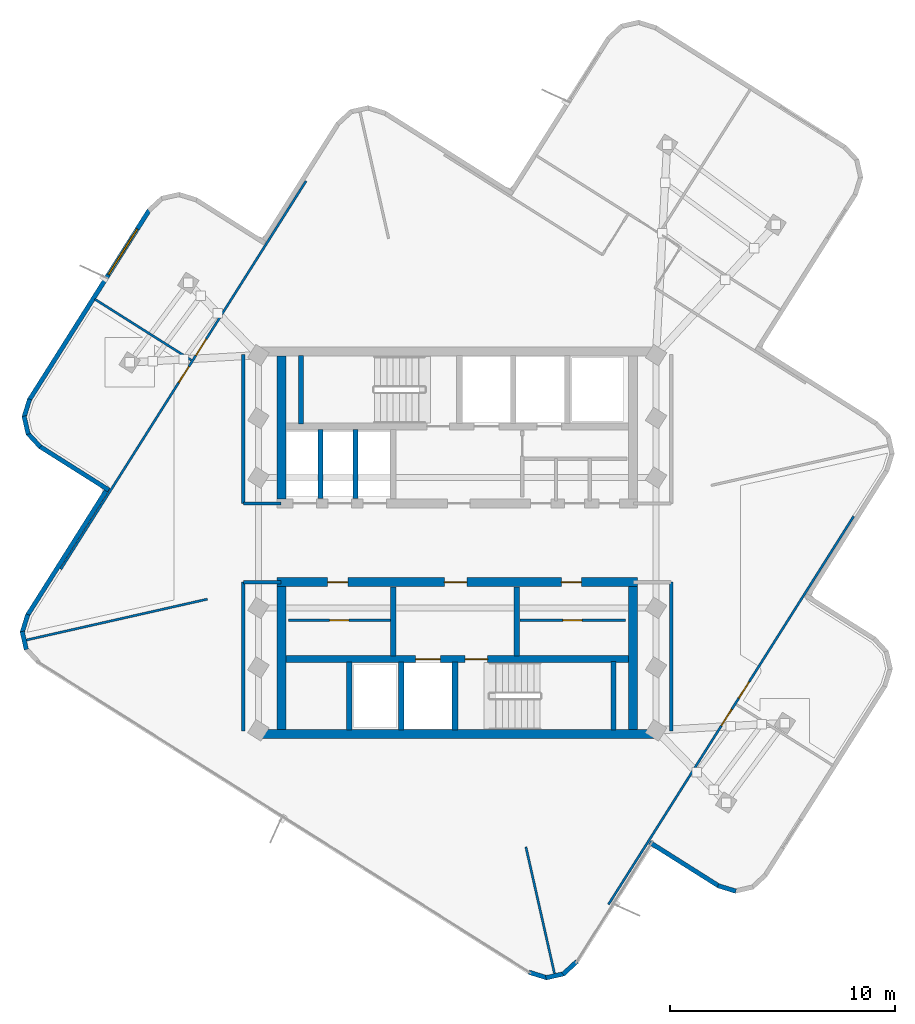
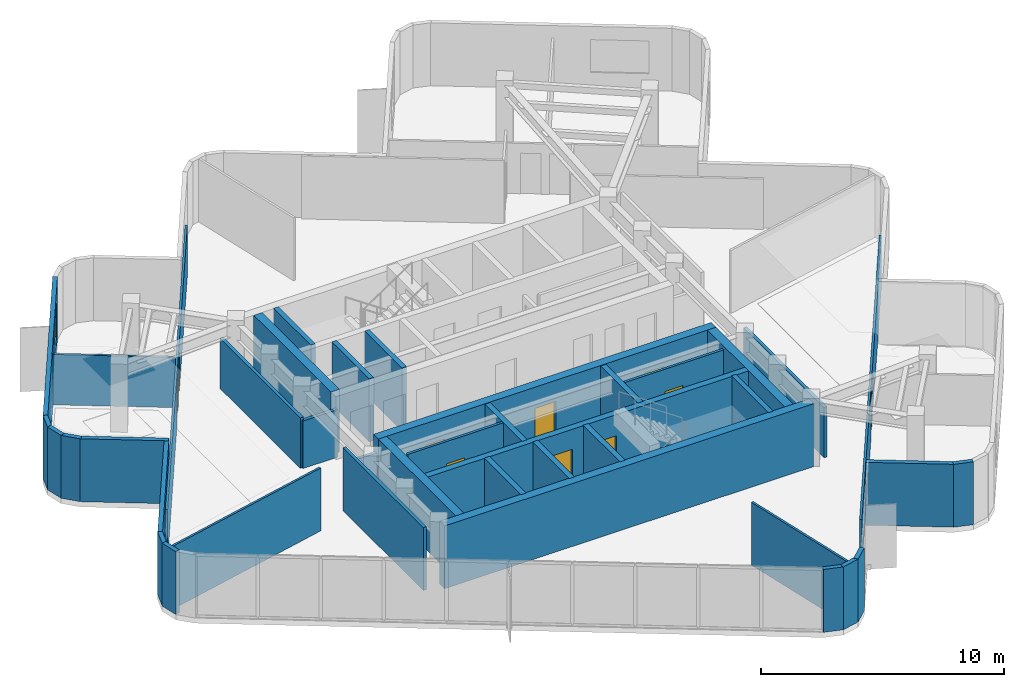
# One storey, part 4 of 8: 40 walls, 11 doors, 1 window, 12 openings.
"""IFC4 building model written with IfcOpenShell, lengths in metres."""

from ifc_helpers import new_model, si_unit, direction, frame, frame_2d, origin, place, context, subcontext, project, spatial, rectangle, extrude, material, layer, layer_set, type_object, element, fill, save


model = new_model("IFC4")

# Units and contexts
model_context = context("Model", 3, precision=1e-05, world=origin(), true_north=direction((0.0, 1.0)))
body_context = subcontext(model_context, "Body", "Model", "MODEL_VIEW")
ifc_project = project(units=[si_unit("LENGTHUNIT", "METRE"), si_unit("AREAUNIT", "SQUARE_METRE"), si_unit("VOLUMEUNIT", "CUBIC_METRE"), si_unit("PLANEANGLEUNIT", "RADIAN"), si_unit("MASSUNIT", "GRAM", prefix="KILO")], contexts=[model_context])

# Site, building, storey
site_placement = place(None, origin())
site = spatial("IfcSite", under=ifc_project, at=site_placement, CompositionType="ELEMENT")
building_placement = place(site_placement, origin())
building = spatial("IfcBuilding", under=site, at=building_placement, Name="Solmarez Civic Tower", CompositionType="ELEMENT")
storey_placement = place(building_placement, frame((0.0, 0.0, 271.43994140625)))
storey = spatial("IfcBuildingStorey", under=building, at=storey_placement, Name="L73", CompositionType="ELEMENT", Elevation=271.43994140625)

# Walls
ifc_material_1 = material(Name="Concrete C50/60", Category="concrete")
ifc_layer_1 = layer(ifc_material_1, 0.39990234375)
ifc_layer_set_1 = layer_set([ifc_layer_1], Name="Concrete C50/60")
wall_type_1 = type_object("IfcWallType", Name="WALL-CORE-400", PredefinedType="SHEAR", material=ifc_layer_set_1)
wall_1_placement = place(storey_placement, frame((-7.820068359375, 1.949951171875, 0.0), z_axis=(0.0, 0.0, 1.0), x_axis=(0.0, 1.0, 0.0)))
element("IfcWall", 1, at=wall_1_placement, inside=storey, type_object=wall_type_1, Name="L73 Split-Core Structural Wall NCW-W-L73", PredefinedType="SHEAR", context=body_context, shape_type="SweptSolid", body=[
    extrude(rectangle(XDim=6.360107421875, YDim=0.39990234375, at=frame_2d((3.18017578125, 0.0))), origin(), (0.0, 0.0, 1.0), 3.16015625),
])
wall_2_placement = place(storey_placement, frame((8.780029296875, -8.510009765625, 0.0), z_axis=(0.0, 0.0, 1.0), x_axis=(-1.0, 0.0, 0.0)))
element("IfcWall", 2, at=wall_2_placement, inside=storey, type_object=wall_type_1, Name="L73 Split-Core Structural Wall SCW-S-L73", PredefinedType="SHEAR", context=body_context, shape_type="SweptSolid", body=[
    extrude(rectangle(XDim=17.56005859375, YDim=0.39990234375, at=frame_2d((8.780029296875, 0.0))), origin(), (0.0, 0.0, 1.0), 3.16015625),
])

# Wall, openings, doors
wall_3_placement = place(storey_placement, frame((-8.02001953125, -1.75, 0.0), z_axis=(0.0, 0.0, 1.0), x_axis=(1.0, 0.0, 0.0)))
wall_3 = element("IfcWall", 3, at=wall_3_placement, inside=storey, type_object=wall_type_1, Name="L73 Split-Core Structural Wall SCW-N-L73", PredefinedType="SHEAR", context=body_context, shape_type="SweptSolid", body=[
    extrude(rectangle(XDim=16.0400390625, YDim=0.39990234375, at=frame_2d((8.02001953125, 0.0))), origin(), (0.0, 0.0, 1.0), 3.16015625),
])
opening_1_placement = place(wall_3_placement, frame((7.449951171875, 0.0, 0.0)))
opening_1 = element("IfcOpeningElement", 4, at=opening_1_placement, cuts=wall_3, Name="Opening D-04", PredefinedType="OPENING", context=body_context, shape_type="SweptSolid", body=[
    extrude(rectangle(XDim=1.0, YDim=2.10009765625, at=frame_2d((0.5, 1.050048828125))), frame((0.0, 0.2099609375, 0.0), z_axis=(0.0, -1.0, 0.0), x_axis=(1.0, 0.0, 0.0)), (0.0, 0.0, 1.0), 0.419921875),
])
opening_2_placement = place(wall_3_placement, frame((12.64990234375, 0.0, 0.0)))
opening_2 = element("IfcOpeningElement", 5, at=opening_2_placement, cuts=wall_3, Name="Opening D-09", PredefinedType="OPENING", context=body_context, shape_type="SweptSolid", body=[
    extrude(rectangle(XDim=0.89990234375, YDim=2.06005859375, at=frame_2d((0.449951171875, 1.030029296875))), frame((0.0, 0.2099609375, 0.0), z_axis=(0.0, -1.0, 0.0), x_axis=(1.0, 0.0, 0.0)), (0.0, 0.0, 1.0), 0.419921875),
])
opening_3_placement = place(wall_3_placement, frame((2.25, 0.0, 0.0)))
opening_3 = element("IfcOpeningElement", 6, at=opening_3_placement, cuts=wall_3, Name="Opening D-09", PredefinedType="OPENING", context=body_context, shape_type="SweptSolid", body=[
    extrude(rectangle(XDim=0.89990234375, YDim=2.06005859375, at=frame_2d((0.449951171875, 1.030029296875))), frame((0.0, 0.2099609375, 0.0), z_axis=(0.0, -1.0, 0.0), x_axis=(1.0, 0.0, 0.0)), (0.0, 0.0, 1.0), 0.419921875),
])
ifc_material_2 = material(Name="Steel-Faced Acoustic Fire Door", Category="steel")
door_type_1 = type_object("IfcDoorType", Name="DOOR-FD60-1000", OperationType="NOTDEFINED", PredefinedType="DOOR", material=ifc_material_2)
door_1_placement = place(opening_1_placement, origin())
door_1 = element("IfcDoor", 7, at=door_1_placement, inside=storey, type_object=door_type_1, Name="L73 South Firefighting Lobby Door", OperationType="SINGLE_SWING_LEFT", OverallHeight=2.10009765625, OverallWidth=1.0, PredefinedType="DOOR", context=body_context, shape_type="SweptSolid", body=[
    extrude(rectangle(XDim=1.0, YDim=2.10009765625, at=frame_2d((0.5, 1.050048828125))), frame((0.0, 0.02490234375, 0.0), z_axis=(0.0, -1.0, 0.0), x_axis=(1.0, 0.0, 0.0)), (0.0, 0.0, 1.0), 0.050048828125),
])
fill(opening_1, door_1)
ifc_material_3 = material(Name="Fire-Rated Service Core Door", Category="wood")
door_type_2 = type_object("IfcDoorType", Name="DOOR-FD60-900", OperationType="NOTDEFINED", PredefinedType="DOOR", material=ifc_material_3)
door_2_placement = place(opening_2_placement, origin())
door_2 = element("IfcDoor", 8, at=door_2_placement, inside=storey, type_object=door_type_2, Name="L73 Freed Hoistway Mailroom Door", OperationType="SINGLE_SWING_LEFT", OverallHeight=2.06005859375, OverallWidth=0.89990234375, PredefinedType="DOOR", context=body_context, shape_type="SweptSolid", body=[
    extrude(rectangle(XDim=0.89990234375, YDim=2.06005859375, at=frame_2d((0.449951171875, 1.030029296875))), frame((0.0, 0.02490234375, 0.0), z_axis=(0.0, -1.0, 0.0), x_axis=(1.0, 0.0, 0.0)), (0.0, 0.0, 1.0), 0.050048828125),
])
fill(opening_2, door_2)
door_3_placement = place(opening_3_placement, origin())
door_3 = element("IfcDoor", 9, at=door_3_placement, inside=storey, type_object=door_type_2, Name="L73 Staff Kitchenette Pantry Door", OperationType="SINGLE_SWING_RIGHT", OverallHeight=2.06005859375, OverallWidth=0.89990234375, PredefinedType="DOOR", context=body_context, shape_type="SweptSolid", body=[
    extrude(rectangle(XDim=0.89990234375, YDim=2.06005859375, at=frame_2d((0.449951171875, 1.030029296875))), frame((0.0, 0.02490234375, 0.0), z_axis=(0.0, -1.0, 0.0), x_axis=(1.0, 0.0, 0.0)), (0.0, 0.0, 1.0), 0.050048828125),
])
fill(opening_3, door_3)

# Walls
for number, where, z_axis, x_axis, name in (
    (10, (-7.820068359375, -8.31005859375, 0.0), (0.0, 0.0, 1.0), (0.0, 1.0, 0.0), "L73 Split-Core Structural Wall SCW-W-L73"),
    (11, (7.820068359375, -1.949951171875, 0.0), (0.0, 0.0, 1.0), (0.0, -1.0, 0.0), "L73 Split-Core Structural Wall SCW-E-L73"),
):
    element("IfcWall", number, at=place(storey_placement, frame(where, z_axis=z_axis, x_axis=x_axis)), inside=storey, type_object=wall_type_1, Name=name, PredefinedType="SHEAR", context=body_context, shape_type="SweptSolid", body=[
        extrude(rectangle(XDim=6.360107421875, YDim=0.39990234375, at=frame_2d((3.18017578125, 0.0))), origin(), (0.0, 0.0, 1.0), 3.16015625),
    ])
ifc_material_4 = material(Name="Precast concrete C40/50", Category="concrete")
ifc_layer_2 = layer(ifc_material_4, 0.199951171875)
ifc_layer_set_2 = layer_set([ifc_layer_2], Name="Precast concrete C40/50")
wall_type_2 = type_object("IfcWallType", Name="WALL-EXT-200", PredefinedType="SOLIDWALL", material=ifc_layer_set_2)
wall_4_placement = place(storey_placement, frame((5.325927734375, -18.637939453125, 0.0), z_axis=(0.0, 0.0, 1.0), x_axis=(-0.734546260064, -0.678558613405, 0.0)))
element("IfcWall", 12, at=wall_4_placement, inside=storey, type_object=wall_type_2, Name="L73 Exterior Precast Wall 3", PredefinedType="SOLIDWALL", context=body_context, shape_type="SweptSolid", body=[
    extrude(rectangle(XDim=0.837158203125, YDim=0.199951171875, at=frame_2d((0.41845703125, 0.0))), origin(), (0.0, 0.0, 1.0), 3.16015625),
])
wall_5_placement = place(storey_placement, frame((4.7529296875, -19.18310546875, 0.0), z_axis=(0.0, 0.0, 1.0), x_axis=(-0.975095027757, -0.22178748126, 0.0)))
element("IfcWall", 13, at=wall_5_placement, inside=storey, type_object=wall_type_2, Name="L73 Exterior Precast Wall 4", PredefinedType="SOLIDWALL", context=body_context, shape_type="SweptSolid", body=[
    extrude(rectangle(XDim=0.824462890625, YDim=0.199951171875, at=frame_2d((0.412109375, 0.0))), origin(), (0.0, 0.0, 1.0), 3.16015625),
])
wall_6_placement = place(storey_placement, frame((3.9970703125, -19.366943359375, 0.0), z_axis=(0.0, 0.0, 1.0), x_axis=(-0.955248680357, 0.295803919306, 0.0)))
element("IfcWall", 14, at=wall_6_placement, inside=storey, type_object=wall_type_2, Name="L73 Exterior Precast Wall 5", PredefinedType="SOLIDWALL", context=body_context, shape_type="SweptSolid", body=[
    extrude(rectangle(XDim=0.838623046875, YDim=0.199951171875, at=frame_2d((0.41943359375, 0.0))), origin(), (0.0, 0.0, 1.0), 3.16015625),
])
wall_7_placement = place(storey_placement, frame((-19.18310546875, -4.7529296875, 0.0), z_axis=(0.0, 0.0, 1.0), x_axis=(-0.22178748126, 0.975095027757, 0.0)))
element("IfcWall", 15, at=wall_7_placement, inside=storey, type_object=wall_type_2, Name="L73 Exterior Precast Wall 8", PredefinedType="SOLIDWALL", context=body_context, shape_type="SweptSolid", body=[
    extrude(rectangle(XDim=0.824462890625, YDim=0.199951171875, at=frame_2d((0.412109375, 0.0))), origin(), (0.0, 0.0, 1.0), 3.16015625),
])
wall_8_placement = place(storey_placement, frame((-19.366943359375, -3.9970703125, 0.0), z_axis=(0.0, 0.0, 1.0), x_axis=(0.295803919306, 0.955248680357, 0.0)))
element("IfcWall", 16, at=wall_8_placement, inside=storey, type_object=wall_type_2, Name="L73 Exterior Precast Wall 9", PredefinedType="SOLIDWALL", context=body_context, shape_type="SweptSolid", body=[
    extrude(rectangle(XDim=0.838623046875, YDim=0.199951171875, at=frame_2d((0.41943359375, 0.0))), origin(), (0.0, 0.0, 1.0), 3.16015625),
])
wall_9_placement = place(storey_placement, frame((-19.138916015625, -3.240966796875, 0.0), z_axis=(0.0, 0.0, 1.0), x_axis=(0.534084270085, 0.845431246435, 0.0)))
element("IfcWall", 17, at=wall_9_placement, inside=storey, type_object=wall_type_2, Name="L73 Exterior Precast Wall 10", PredefinedType="SOLIDWALL", context=body_context, shape_type="SweptSolid", body=[
    extrude(rectangle(XDim=6.741943359375, YDim=0.199951171875, at=frame_2d((3.37109375, 0.0))), origin(), (0.0, 0.0, 1.0), 3.16015625),
])
wall_10_placement = place(storey_placement, frame((-15.512939453125, 2.347900390625, 0.0), z_axis=(0.0, 0.0, 1.0), x_axis=(-0.8454427056, 0.534066130313, 0.0)))
element("IfcWall", 18, at=wall_10_placement, inside=storey, type_object=wall_type_2, Name="L73 Exterior Precast Wall 13", PredefinedType="SOLIDWALL", context=body_context, shape_type="SweptSolid", body=[
    extrude(rectangle(XDim=3.64208984375, YDim=0.199951171875, at=frame_2d((1.821044921875, 0.0))), origin(), (0.0, 0.0, 1.0), 3.16015625),
])
wall_11_placement = place(storey_placement, frame((-18.553955078125, 4.261962890625, 0.0), z_axis=(0.0, 0.0, 1.0), x_axis=(-0.679187212508, 0.73396507435, 0.0)))
element("IfcWall", 19, at=wall_11_placement, inside=storey, type_object=wall_type_2, Name="L73 Exterior Precast Wall 14", PredefinedType="SOLIDWALL", context=body_context, shape_type="SweptSolid", body=[
    extrude(rectangle(XDim=0.837890625, YDim=0.199951171875, at=frame_2d((0.4189453125, 0.0))), origin(), (0.0, 0.0, 1.0), 3.16015625),
])
wall_12_placement = place(storey_placement, frame((-19.10009765625, 4.8349609375, 0.0), z_axis=(0.0, 0.0, 1.0), x_axis=(-0.222043922605, 0.975036664149, 0.0)))
element("IfcWall", 20, at=wall_12_placement, inside=storey, type_object=wall_type_2, Name="L73 Exterior Precast Wall 15", PredefinedType="SOLIDWALL", context=body_context, shape_type="SweptSolid", body=[
    extrude(rectangle(XDim=0.823486328125, YDim=0.199951171875, at=frame_2d((0.41162109375, 0.0))), origin(), (0.0, 0.0, 1.0), 3.16015625),
])
wall_13_placement = place(storey_placement, frame((-19.283935546875, 5.590087890625, 0.0), z_axis=(0.0, 0.0, 1.0), x_axis=(0.295803919306, 0.955248680357, 0.0)))
element("IfcWall", 21, at=wall_13_placement, inside=storey, type_object=wall_type_2, Name="L73 Exterior Precast Wall 16", PredefinedType="SOLIDWALL", context=body_context, shape_type="SweptSolid", body=[
    extrude(rectangle(XDim=0.838623046875, YDim=0.199951171875, at=frame_2d((0.41943359375, 0.0))), origin(), (0.0, 0.0, 1.0), 3.16015625),
])

# Wall, opening, window
wall_14_placement = place(storey_placement, frame((-19.055908203125, 6.345947265625, 0.0), z_axis=(0.0, 0.0, 1.0), x_axis=(0.534060804588, 0.845446069837, 0.0)))
wall_14 = element("IfcWall", 22, at=wall_14_placement, inside=storey, type_object=wall_type_2, Name="L73 Exterior Precast Wall 17", PredefinedType="SOLIDWALL", context=body_context, shape_type="SweptSolid", body=[
    extrude(rectangle(XDim=10.023193359375, YDim=0.199951171875, at=frame_2d((5.01171875, 0.0))), origin(), (0.0, 0.0, 1.0), 3.16015625),
])
opening_4_placement = place(wall_14_placement, frame((6.617919921875, 0.0, 0.85009765625)))
opening_4 = element("IfcOpeningElement", 23, at=opening_4_placement, cuts=wall_14, Name="Opening W-06", PredefinedType="OPENING", context=body_context, shape_type="SweptSolid", body=[
    extrude(rectangle(XDim=2.39990234375, YDim=1.85009765625, at=frame_2d((1.199951171875, 0.925048828125))), frame((0.0, 0.10986328125, 0.0), z_axis=(0.0, -1.0, 0.0), x_axis=(1.0, 0.0, 0.0)), (0.0, 0.0, 1.0), 0.219970703125),
])
ifc_material_5 = material(Name="Solar Control Bronze-Tinted Insulating Glass", Category="glass")
window_type = type_object("IfcWindowType", Name="WIN-2400X1850", PartitioningType="SINGLE_PANEL", PredefinedType="WINDOW", material=ifc_material_5)
window_placement = place(opening_4_placement, origin())
window = element("IfcWindow", 24, at=window_placement, inside=storey, type_object=window_type, Name="L73 Exterior Facade Window 17", OverallHeight=1.85009765625, OverallWidth=2.39990234375, PartitioningType="SINGLE_PANEL", PredefinedType="WINDOW", context=body_context, shape_type="SweptSolid", body=[
    extrude(rectangle(XDim=2.39990234375, YDim=1.85009765625, at=frame_2d((1.199951171875, 0.925048828125))), frame((0.0, 0.030029296875, 0.0), z_axis=(0.0, -1.0, 0.0), x_axis=(1.0, 0.0, 0.0)), (0.0, 0.0, 1.0), 0.06005859375),
])
fill(opening_4, window)

# Walls
wall_15_placement = place(storey_placement, frame((12.405029296875, -15.511962890625, 0.0), z_axis=(0.0, 0.0, 1.0), x_axis=(-0.95514660916, 0.296133339917, 0.0)))
element("IfcWall", 25, at=wall_15_placement, inside=storey, type_object=wall_type_2, Name="L73 Exterior Precast Wall 56", PredefinedType="SOLIDWALL", context=body_context, shape_type="SweptSolid", body=[
    extrude(rectangle(XDim=0.837646484375, YDim=0.199951171875, at=frame_2d((0.4189453125, 0.0))), origin(), (0.0, 0.0, 1.0), 3.16015625),
])
wall_16_placement = place(storey_placement, frame((11.64990234375, -15.283935546875, 0.0), z_axis=(0.0, 0.0, 1.0), x_axis=(-0.84553031048, 0.533927423962, 0.0)))
element("IfcWall", 26, at=wall_16_placement, inside=storey, type_object=wall_type_2, Name="L73 Exterior Precast Wall 57", PredefinedType="SOLIDWALL", context=body_context, shape_type="SweptSolid", body=[
    extrude(rectangle(XDim=3.642578125, YDim=0.199951171875, at=frame_2d((1.8212890625, 0.0))), origin(), (0.0, 0.0, 1.0), 3.16015625),
])
ifc_material_6 = material(Name="Gypsum Board Acoustic Steel-Stud Partition", Category="steel")
ifc_layer_3 = layer(ifc_material_6, 0.14990234375)
ifc_layer_set_3 = layer_set([ifc_layer_3], Name="Gypsum Board Acoustic Steel-Stud Partition")
wall_type_3 = type_object("IfcWallType", Name="WALL-INT-FIRE-150", PredefinedType="PARTITIONING", material=ifc_layer_set_3)
wall_17_placement = place(storey_placement, frame((-9.52001953125, 1.75, 0.0), z_axis=(0.0, 0.0, 1.0), x_axis=(0.0, 1.0, 0.0)))
element("IfcWall", 27, at=wall_17_placement, inside=storey, type_object=wall_type_3, Name="L73 Interior Partition CHW-L73-WN1", PredefinedType="PARTITIONING", context=body_context, shape_type="SweptSolid", body=[
    extrude(rectangle(XDim=6.6298828125, YDim=0.14990234375, at=frame_2d((3.31494140625, 0.0))), origin(), (0.0, 0.0, 1.0), 2.530029296875),
])
wall_18_placement = place(storey_placement, frame((-7.85009765625, 1.75, 0.0), z_axis=(0.0, 0.0, 1.0), x_axis=(-1.0, 0.0, 0.0)))
element("IfcWall", 28, at=wall_18_placement, inside=storey, type_object=wall_type_3, Name="L73 Interior Partition CHW-L73-WN3", PredefinedType="PARTITIONING", context=body_context, shape_type="SweptSolid", body=[
    extrude(rectangle(XDim=1.669921875, YDim=0.14990234375, at=frame_2d((0.8349609375, 0.0))), origin(), (0.0, 0.0, 1.0), 2.39013671875),
])
wall_19_placement = place(storey_placement, frame((-9.52001953125, -8.3798828125, 0.0), z_axis=(0.0, 0.0, 1.0), x_axis=(0.0, 1.0, 0.0)))
element("IfcWall", 29, at=wall_19_placement, inside=storey, type_object=wall_type_3, Name="L73 Interior Partition CHW-L73-WS1", PredefinedType="PARTITIONING", context=body_context, shape_type="SweptSolid", body=[
    extrude(rectangle(XDim=6.6298828125, YDim=0.14990234375, at=frame_2d((3.31494140625, 0.0))), origin(), (0.0, 0.0, 1.0), 3.16015625),
])
wall_20_placement = place(storey_placement, frame((-7.85009765625, -1.75, 0.0), z_axis=(0.0, 0.0, 1.0), x_axis=(-1.0, 0.0, 0.0)))
element("IfcWall", 30, at=wall_20_placement, inside=storey, type_object=wall_type_3, Name="L73 Interior Partition CHW-L73-WS3", PredefinedType="PARTITIONING", context=body_context, shape_type="SweptSolid", body=[
    extrude(rectangle(XDim=1.669921875, YDim=0.14990234375, at=frame_2d((0.8349609375, 0.0))), origin(), (0.0, 0.0, 1.0), 2.39013671875),
])
wall_21_placement = place(storey_placement, frame((9.52001953125, -8.3798828125, 0.0), z_axis=(0.0, 0.0, 1.0), x_axis=(0.0, 1.0, 0.0)))
element("IfcWall", 31, at=wall_21_placement, inside=storey, type_object=wall_type_3, Name="L73 Interior Partition CHW-L73-ES1", PredefinedType="PARTITIONING", context=body_context, shape_type="SweptSolid", body=[
    extrude(rectangle(XDim=6.6298828125, YDim=0.14990234375, at=frame_2d((3.31494140625, 0.0))), origin(), (0.0, 0.0, 1.0), 2.530029296875),
])
ifc_layer_4 = layer(ifc_material_6, 0.10009765625)
ifc_layer_set_4 = layer_set([ifc_layer_4], Name="Gypsum Board Acoustic Steel-Stud Partition")
wall_type_4 = type_object("IfcWallType", Name="WALL-INT-PART-100", PredefinedType="PARTITIONING", material=ifc_layer_set_4)
wall_22_placement = place(storey_placement, frame((-11.1201171875, -2.510009765625, 0.0), z_axis=(0.0, 0.0, 1.0), x_axis=(-0.975442430033, -0.220254547494, 0.0)))
element("IfcWall", 32, at=wall_22_placement, inside=storey, type_object=wall_type_4, Name="L73 Interior Partition PT-L73-QDIV-2", PredefinedType="PARTITIONING", context=body_context, shape_type="SweptSolid", body=[
    extrude(rectangle(XDim=8.29443359375, YDim=0.10009765625, at=frame_2d((4.147216796875, 0.0))), origin(), (0.0, 0.0, 1.0), 3.16015625),
])
wall_23_placement = place(storey_placement, frame((3.055908203125, -13.5400390625, 0.0), z_axis=(0.0, 0.0, 1.0), x_axis=(0.22033949405, -0.975423245244, 0.0)))
element("IfcWall", 33, at=wall_23_placement, inside=storey, type_object=wall_type_4, Name="L73 Interior Partition PT-L73-QDIV-3", PredefinedType="PARTITIONING", context=body_context, shape_type="SweptSolid", body=[
    extrude(rectangle(XDim=5.813720703125, YDim=0.10009765625, at=frame_2d((2.90673828125, 0.0))), origin(), (0.0, 0.0, 1.0), 3.16015625),
])
wall_24_placement = place(storey_placement, frame((-11.837890625, 8.12890625, 0.0), z_axis=(0.0, 0.0, 1.0), x_axis=(-0.845412458252, 0.53411400977, 0.0)))
element("IfcWall", 34, at=wall_24_placement, inside=storey, type_object=wall_type_4, Name="L73 Interior Partition PT-L73-N-ALM", PredefinedType="PARTITIONING", context=body_context, shape_type="SweptSolid", body=[
    extrude(rectangle(XDim=5.085205078125, YDim=0.10009765625, at=frame_2d((2.54248046875, 0.0))), origin(), (0.0, 0.0, 1.0), 2.530029296875),
])

# Wall, openings, doors
wall_25_placement = place(storey_placement, frame((-17.64599609375, -1.177978515625, 0.0), z_axis=(0.0, 0.0, 1.0), x_axis=(0.534052309352, 0.845451436143, 0.0)))
wall_25 = element("IfcWall", 35, at=wall_25_placement, inside=storey, type_object=wall_type_4, Name="L73 Interior Partition PT-L73-N-ENT", PredefinedType="PARTITIONING", context=body_context, shape_type="SweptSolid", body=[
    extrude(rectangle(XDim=20.43994140625, YDim=0.10009765625, at=frame_2d((10.219970703125, 0.0))), origin(), (0.0, 0.0, 1.0), 2.530029296875),
])
opening_5_placement = place(wall_25_placement, frame((11.259033203125, 0.0, 0.0)))
opening_5 = element("IfcOpeningElement", 36, at=opening_5_placement, cuts=wall_25, Name="Opening D-14", PredefinedType="OPENING", context=body_context, shape_type="SweptSolid", body=[
    extrude(rectangle(XDim=0.860107421875, YDim=2.0400390625, at=frame_2d((0.43017578125, 1.02001953125))), frame((0.0, 0.06005859375, 0.0), z_axis=(0.0, -1.0, 0.0), x_axis=(1.0, 0.0, 0.0)), (0.0, 0.0, 1.0), 0.1201171875),
])
opening_6_placement = place(wall_25_placement, frame((9.819091796875, 0.0, 0.0)))
opening_6 = element("IfcOpeningElement", 37, at=opening_6_placement, cuts=wall_25, Name="Opening D-14", PredefinedType="OPENING", context=body_context, shape_type="SweptSolid", body=[
    extrude(rectangle(XDim=0.860107421875, YDim=2.0400390625, at=frame_2d((0.43017578125, 1.02001953125))), frame((0.0, 0.06005859375, 0.0), z_axis=(0.0, -1.0, 0.0), x_axis=(1.0, 0.0, 0.0)), (0.0, 0.0, 1.0), 0.1201171875),
])
ifc_material_7 = material(Name="Timber Storage and Pantry Door", Category="wood")
door_type_3 = type_object("IfcDoorType", Name="DOOR-INT-850", OperationType="NOTDEFINED", PredefinedType="DOOR", material=ifc_material_7)
door_4_placement = place(opening_5_placement, origin())
door_4 = element("IfcDoor", 38, at=door_4_placement, inside=storey, type_object=door_type_3, Name="L73 Press Study Room Second North Door", OperationType="SINGLE_SWING_RIGHT", OverallHeight=2.0400390625, OverallWidth=0.860107421875, PredefinedType="DOOR", context=body_context, shape_type="SweptSolid", body=[
    extrude(rectangle(XDim=0.860107421875, YDim=2.0400390625, at=frame_2d((0.43017578125, 1.02001953125))), frame((0.0, 0.02490234375, 0.0), z_axis=(0.0, -1.0, 0.0), x_axis=(1.0, 0.0, 0.0)), (0.0, 0.0, 1.0), 0.050048828125),
])
fill(opening_5, door_4)
door_5_placement = place(opening_6_placement, origin())
door_5 = element("IfcDoor", 39, at=door_5_placement, inside=storey, type_object=door_type_3, Name="L73 Civic Lecture Classroom First North Door", OperationType="SINGLE_SWING_LEFT", OverallHeight=2.0400390625, OverallWidth=0.860107421875, PredefinedType="DOOR", context=body_context, shape_type="SweptSolid", body=[
    extrude(rectangle(XDim=0.860107421875, YDim=2.0400390625, at=frame_2d((0.43017578125, 1.02001953125))), frame((0.0, 0.02490234375, 0.0), z_axis=(0.0, -1.0, 0.0), x_axis=(1.0, 0.0, 0.0)), (0.0, 0.0, 1.0), 0.050048828125),
])
fill(opening_6, door_5)

wall_26_placement = place(storey_placement, frame((17.64599609375, 1.177978515625, 0.0), z_axis=(0.0, 0.0, 1.0), x_axis=(-0.534052309352, -0.845451436143, 0.0)))
wall_26 = element("IfcWall", 40, at=wall_26_placement, inside=storey, type_object=wall_type_4, Name="L73 Interior Partition PT-L73-S-ENT", PredefinedType="PARTITIONING", context=body_context, shape_type="SweptSolid", body=[
    extrude(rectangle(XDim=20.43994140625, YDim=0.10009765625, at=frame_2d((10.219970703125, 0.0))), origin(), (0.0, 0.0, 1.0), 2.530029296875),
])
opening_7_placement = place(wall_26_placement, frame((10.158935546875, 0.0, 0.0)))
opening_7 = element("IfcOpeningElement", 41, at=opening_7_placement, cuts=wall_26, Name="Opening D-14", PredefinedType="OPENING", context=body_context, shape_type="SweptSolid", body=[
    extrude(rectangle(XDim=0.860107421875, YDim=2.0400390625, at=frame_2d((0.43017578125, 1.02001953125))), frame((0.0, 0.06005859375, 0.0), z_axis=(0.0, -1.0, 0.0), x_axis=(1.0, 0.0, 0.0)), (0.0, 0.0, 1.0), 0.1201171875),
])
opening_8_placement = place(wall_26_placement, frame((8.718994140625, 0.0, 0.0)))
opening_8 = element("IfcOpeningElement", 42, at=opening_8_placement, cuts=wall_26, Name="Opening D-14", PredefinedType="OPENING", context=body_context, shape_type="SweptSolid", body=[
    extrude(rectangle(XDim=0.860107421875, YDim=2.0400390625, at=frame_2d((0.43017578125, 1.02001953125))), frame((0.0, 0.06005859375, 0.0), z_axis=(0.0, -1.0, 0.0), x_axis=(1.0, 0.0, 0.0)), (0.0, 0.0, 1.0), 0.1201171875),
])
door_6_placement = place(opening_7_placement, origin())
door_6 = element("IfcDoor", 43, at=door_6_placement, inside=storey, type_object=door_type_3, Name="L73 Public Exhibition Library Second South Door", OperationType="SINGLE_SWING_RIGHT", OverallHeight=2.0400390625, OverallWidth=0.860107421875, PredefinedType="DOOR", context=body_context, shape_type="SweptSolid", body=[
    extrude(rectangle(XDim=0.860107421875, YDim=2.0400390625, at=frame_2d((0.43017578125, 1.02001953125))), frame((0.0, 0.02490234375, 0.0), z_axis=(0.0, -1.0, 0.0), x_axis=(1.0, 0.0, 0.0)), (0.0, 0.0, 1.0), 0.050048828125),
])
fill(opening_7, door_6)
door_7_placement = place(opening_8_placement, origin())
door_7 = element("IfcDoor", 44, at=door_7_placement, inside=storey, type_object=door_type_3, Name="L73 Catering Pantry First South Door", OperationType="SINGLE_SWING_LEFT", OverallHeight=2.0400390625, OverallWidth=0.860107421875, PredefinedType="DOOR", context=body_context, shape_type="SweptSolid", body=[
    extrude(rectangle(XDim=0.860107421875, YDim=2.0400390625, at=frame_2d((0.43017578125, 1.02001953125))), frame((0.0, 0.02490234375, 0.0), z_axis=(0.0, -1.0, 0.0), x_axis=(1.0, 0.0, 0.0)), (0.0, 0.0, 1.0), 0.050048828125),
])
fill(opening_8, door_7)

# Wall, opening, door
ifc_layer_5 = layer(ifc_material_6, 0.1201171875)
ifc_layer_set_5 = layer_set([ifc_layer_5], Name="Gypsum Board Acoustic Steel-Stud Partition")
wall_type_5 = type_object("IfcWallType", Name="WALL-INT-PART-120", PredefinedType="PARTITIONING", material=ifc_layer_set_5)
wall_27_placement = place(storey_placement, frame((2.800048828125, -3.449951171875, 0.0), z_axis=(0.0, 0.0, 1.0), x_axis=(1.0, 0.0, 0.0)))
wall_27 = element("IfcWall", 45, at=wall_27_placement, inside=storey, type_object=wall_type_5, Name="L73 Interior Partition PT-FPLL-L73", PredefinedType="PARTITIONING", context=body_context, shape_type="SweptSolid", body=[
    extrude(rectangle(XDim=4.679931640625, YDim=0.1201171875, at=frame_2d((2.33984375, 0.0))), origin(), (0.0, 0.0, 1.0), 3.16015625),
])
opening_9_placement = place(wall_27_placement, frame((1.89990234375, 0.0, 0.0)))
opening_9 = element("IfcOpeningElement", 46, at=opening_9_placement, cuts=wall_27, Name="Opening D-14", PredefinedType="OPENING", context=body_context, shape_type="SweptSolid", body=[
    extrude(rectangle(XDim=0.860107421875, YDim=2.0400390625, at=frame_2d((0.43017578125, 1.02001953125))), frame((0.0, 0.070068359375, 0.0), z_axis=(0.0, -1.0, 0.0), x_axis=(1.0, 0.0, 0.0)), (0.0, 0.0, 1.0), 0.14013671875),
])
door_8_placement = place(opening_9_placement, origin())
door_8 = element("IfcDoor", 47, at=door_8_placement, inside=storey, type_object=door_type_3, Name="L73 Records Filing Room Door", OperationType="SINGLE_SWING_LEFT", OverallHeight=2.0400390625, OverallWidth=0.860107421875, PredefinedType="DOOR", context=body_context, shape_type="SweptSolid", body=[
    extrude(rectangle(XDim=0.860107421875, YDim=2.0400390625, at=frame_2d((0.43017578125, 1.02001953125))), frame((0.0, 0.02490234375, 0.0), z_axis=(0.0, -1.0, 0.0), x_axis=(1.0, 0.0, 0.0)), (0.0, 0.0, 1.0), 0.050048828125),
])
fill(opening_9, door_8)

wall_28_placement = place(storey_placement, frame((-7.52001953125, -3.449951171875, 0.0), z_axis=(0.0, 0.0, 1.0), x_axis=(1.0, 0.0, 0.0)))
wall_28 = element("IfcWall", 48, at=wall_28_placement, inside=storey, type_object=wall_type_5, Name="L73 Interior Partition PT-FPLM-L73", PredefinedType="PARTITIONING", context=body_context, shape_type="SweptSolid", body=[
    extrude(rectangle(XDim=4.5400390625, YDim=0.1201171875, at=frame_2d((2.27001953125, 0.0))), origin(), (0.0, 0.0, 1.0), 3.16015625),
])
opening_10_placement = place(wall_28_placement, frame((1.840087890625, 0.0, 0.0)))
opening_10 = element("IfcOpeningElement", 49, at=opening_10_placement, cuts=wall_28, Name="Opening D-14", PredefinedType="OPENING", context=body_context, shape_type="SweptSolid", body=[
    extrude(rectangle(XDim=0.860107421875, YDim=2.0400390625, at=frame_2d((0.43017578125, 1.02001953125))), frame((0.0, 0.070068359375, 0.0), z_axis=(0.0, -1.0, 0.0), x_axis=(1.0, 0.0, 0.0)), (0.0, 0.0, 1.0), 0.14013671875),
])
door_9_placement = place(opening_10_placement, origin())
door_9 = element("IfcDoor", 50, at=door_9_placement, inside=storey, type_object=door_type_3, Name="L73 Directorate Copy Office Door", OperationType="SINGLE_SWING_RIGHT", OverallHeight=2.0400390625, OverallWidth=0.860107421875, PredefinedType="DOOR", context=body_context, shape_type="SweptSolid", body=[
    extrude(rectangle(XDim=0.860107421875, YDim=2.0400390625, at=frame_2d((0.43017578125, 1.02001953125))), frame((0.0, 0.02490234375, 0.0), z_axis=(0.0, -1.0, 0.0), x_axis=(1.0, 0.0, 0.0)), (0.0, 0.0, 1.0), 0.050048828125),
])
fill(opening_10, door_9)

# Wall, openings, doors
ifc_layer_6 = layer(ifc_material_1, 0.300048828125)
ifc_layer_set_6 = layer_set([ifc_layer_6], Name="Concrete C50/60")
wall_type_6 = type_object("IfcWallType", Name="WALL-STR-300", PredefinedType="SOLIDWALL", material=ifc_layer_set_6)
wall_29_placement = place(storey_placement, frame((-7.6201171875, -5.179931640625, 0.0), z_axis=(0.0, 0.0, 1.0), x_axis=(1.0, 0.0, 0.0)))
wall_29 = element("IfcWall", 51, at=wall_29_placement, inside=storey, type_object=wall_type_6, Name="L73 Split-Core Structural Wall SCW-M-L73", PredefinedType="SOLIDWALL", context=body_context, shape_type="SweptSolid", body=[
    extrude(rectangle(XDim=15.240234375, YDim=0.300048828125, at=frame_2d((7.6201171875, 0.0))), origin(), (0.0, 0.0, 1.0), 3.16015625),
])
opening_11_placement = place(wall_29_placement, frame((5.77001953125, 0.0, 0.0)))
opening_11 = element("IfcOpeningElement", 52, at=opening_11_placement, cuts=wall_29, Name="Opening LD-02", PredefinedType="OPENING", context=body_context, shape_type="SweptSolid", body=[
    extrude(rectangle(XDim=1.10009765625, YDim=2.14990234375, at=frame_2d((0.550048828125, 1.074951171875))), frame((0.0, 0.159912109375, 0.0), z_axis=(0.0, -1.0, 0.0), x_axis=(1.0, 0.0, 0.0)), (0.0, 0.0, 1.0), 0.320068359375),
])
opening_12_placement = place(wall_29_placement, frame((7.969970703125, 0.0, 0.0)))
opening_12 = element("IfcOpeningElement", 53, at=opening_12_placement, cuts=wall_29, Name="Opening D-05", PredefinedType="OPENING", context=body_context, shape_type="SweptSolid", body=[
    extrude(rectangle(XDim=1.0, YDim=2.10009765625, at=frame_2d((0.5, 1.050048828125))), frame((0.0, 0.159912109375, 0.0), z_axis=(0.0, -1.0, 0.0), x_axis=(1.0, 0.0, 0.0)), (0.0, 0.0, 1.0), 0.320068359375),
])
ifc_material_8 = material(Name="Fire-Rated Stairwell Exit Door", Category="wood")
door_type_4 = type_object("IfcDoorType", Name="DOOR-FD90-1000", OperationType="NOTDEFINED", PredefinedType="DOOR", material=ifc_material_8)
door_10_placement = place(opening_12_placement, origin())
door_10 = element("IfcDoor", 54, at=door_10_placement, inside=storey, type_object=door_type_4, Name="L73 South Exit Stair Door ST-2", OperationType="SINGLE_SWING_LEFT", OverallHeight=2.10009765625, OverallWidth=1.0, PredefinedType="DOOR", context=body_context, shape_type="SweptSolid", body=[
    extrude(rectangle(XDim=1.0, YDim=2.10009765625, at=frame_2d((0.5, 1.050048828125))), frame((0.0, 0.02490234375, 0.0), z_axis=(0.0, -1.0, 0.0), x_axis=(1.0, 0.0, 0.0)), (0.0, 0.0, 1.0), 0.050048828125),
])
fill(opening_12, door_10)
ifc_material_9 = material(Name="Stainless Firefighting Lift Landing Sliding Door", Category="aluminium")
door_type_5 = type_object("IfcDoorType", Name="DOOR-LD-FF-1100", OperationType="DOUBLE_DOOR_SLIDING", PredefinedType="DOOR", material=ifc_material_9)
door_11_placement = place(opening_11_placement, origin())
door_11 = element("IfcDoor", 55, at=door_11_placement, inside=storey, type_object=door_type_5, Name="L73 Firefighting Lift Landing Door FFL-2", OperationType="DOUBLE_DOOR_SLIDING", OverallHeight=2.14990234375, OverallWidth=1.10009765625, PredefinedType="DOOR", context=body_context, shape_type="SweptSolid", body=[
    extrude(rectangle(XDim=1.10009765625, YDim=2.14990234375, at=frame_2d((0.550048828125, 1.074951171875))), frame((0.0, 0.02490234375, 0.0), z_axis=(0.0, -1.0, 0.0), x_axis=(1.0, 0.0, 0.0)), (0.0, 0.0, 1.0), 0.050048828125),
])
fill(opening_11, door_11)

# Walls
for number, where, z_axis, x_axis, name in (
    (56, (-6.949951171875, 5.280029296875, 0.0), (0.0, 0.0, 1.0), (0.0, 1.0, 0.0), "L73 Split-Core Structural Wall SHW-NW-L73"),
    (57, (6.949951171875, -8.340087890625, 0.0), (0.0, 0.0, 1.0), (0.0, 1.0, 0.0), "L73 Split-Core Structural Wall SHW-SE-L73"),
):
    element("IfcWall", number, at=place(storey_placement, frame(where, z_axis=z_axis, x_axis=x_axis)), inside=storey, type_object=wall_type_6, Name=name, PredefinedType="SOLIDWALL", context=body_context, shape_type="SweptSolid", body=[
        extrude(rectangle(XDim=3.06005859375, YDim=0.219970703125, at=frame_2d((1.530029296875, 0.0))), origin(), (0.0, 0.0, 1.0), 3.16015625),
    ])
for number, where, z_axis, x_axis, name in (
    (58, (-0.10009765625, -8.340087890625, 0.0), (0.0, 0.0, 1.0), (0.0, 1.0, 0.0), "L73 Split-Core Structural Wall SHW-S1-L73"),
    (59, (-2.5, -8.340087890625, 0.0), (0.0, 0.0, 1.0), (0.0, 1.0, 0.0), "L73 Split-Core Structural Wall SHW-S2-L73"),
    (60, (-4.800048828125, -8.340087890625, 0.0), (0.0, 0.0, 1.0), (0.0, 1.0, 0.0), "L73 Split-Core Structural Wall SHW-S3-L73"),
):
    element("IfcWall", number, at=place(storey_placement, frame(where, z_axis=z_axis, x_axis=x_axis)), inside=storey, type_object=wall_type_6, Name=name, PredefinedType="SOLIDWALL", context=body_context, shape_type="SweptSolid", body=[
        extrude(rectangle(XDim=3.0400390625, YDim=0.25, at=frame_2d((1.52001953125, 0.0))), origin(), (0.0, 0.0, 1.0), 3.16015625),
    ])
for number, where, z_axis, x_axis, name in (
    (61, (-2.85009765625, -5.050048828125, 0.0), (0.0, 0.0, 1.0), (0.0, 1.0, 0.0), "L73 Split-Core Structural Wall SHW-SL1-L73"),
    (62, (2.64990234375, -5.050048828125, 0.0), (0.0, 0.0, 1.0), (0.0, 1.0, 0.0), "L73 Split-Core Structural Wall SHW-SL2-L73"),
):
    element("IfcWall", number, at=place(storey_placement, frame(where, z_axis=z_axis, x_axis=x_axis)), inside=storey, type_object=wall_type_6, Name=name, PredefinedType="SOLIDWALL", context=body_context, shape_type="SweptSolid", body=[
        extrude(rectangle(XDim=3.070068359375, YDim=0.25, at=frame_2d((1.53515625, 0.0))), origin(), (0.0, 0.0, 1.0), 3.16015625),
    ])
for number, where, z_axis, x_axis, name in (
    (63, (-6.080078125, 1.97998046875, 0.0), (0.0, 0.0, 1.0), (0.0, 1.0, 0.0), "L73 Split-Core Structural Wall SHW-PLH-L73-1"),
    (64, (-4.52001953125, 1.97998046875, 0.0), (0.0, 0.0, 1.0), (0.0, 1.0, 0.0), "L73 Split-Core Structural Wall SHW-PLH-L73-2"),
):
    element("IfcWall", number, at=place(storey_placement, frame(where, z_axis=z_axis, x_axis=x_axis)), inside=storey, type_object=wall_type_6, Name=name, PredefinedType="SOLIDWALL", context=body_context, shape_type="SweptSolid", body=[
        extrude(rectangle(XDim=3.070068359375, YDim=0.219970703125, at=frame_2d((1.53515625, 0.0))), origin(), (0.0, 0.0, 1.0), 3.16015625),
    ])

save(model, "model.ifc")
